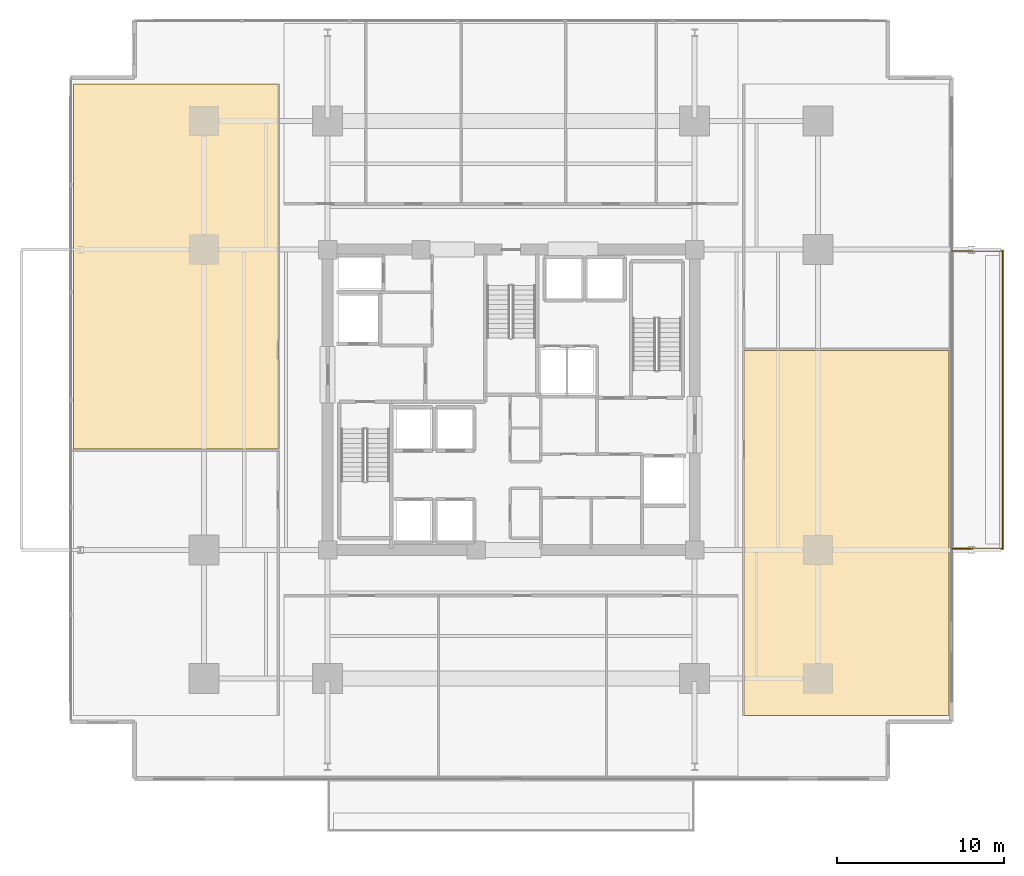
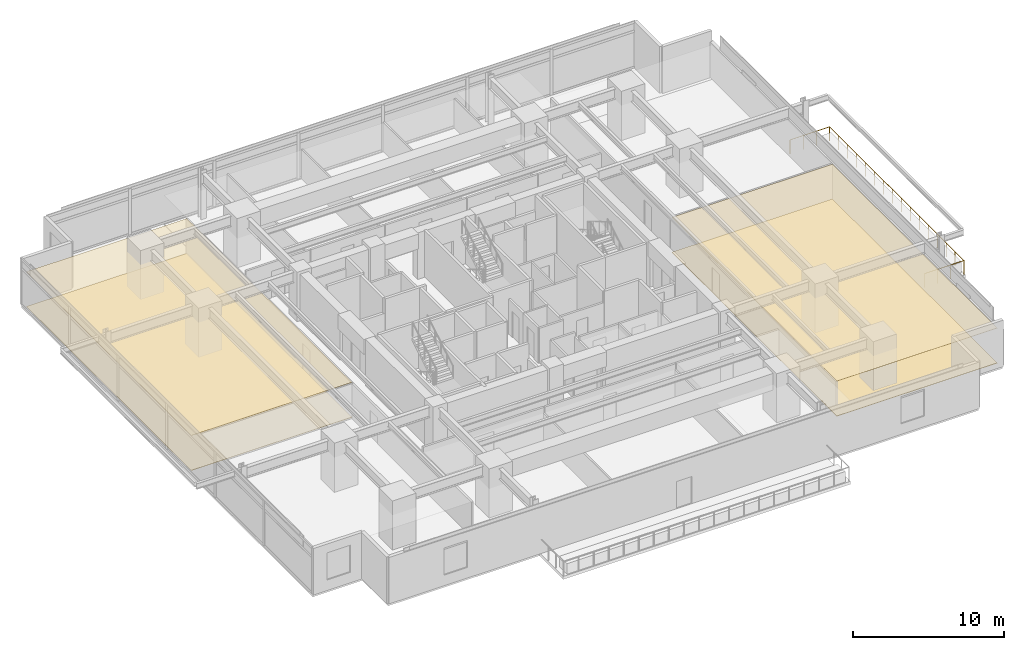
# One storey, part 22 of 24: 4 coverings, 1 railing.
"""IFC4 building model written with IfcOpenShell, lengths in metres."""

from ifc_helpers import new_model, si_unit, direction, frame, origin, origin_2d, place, context, subcontext, project, spatial, polyline, circle, outline, extrude, material, layer, layer_set, type_object, element, save


model = new_model("IFC4")

# Units and contexts
model_context = context("Model", 3, precision=1e-05, world=origin(), true_north=direction((0.0, 1.0)))
body_context = subcontext(model_context, "Body", "Model", "MODEL_VIEW")
ifc_project = project(units=[si_unit("LENGTHUNIT", "METRE"), si_unit("AREAUNIT", "SQUARE_METRE"), si_unit("VOLUMEUNIT", "CUBIC_METRE"), si_unit("PLANEANGLEUNIT", "RADIAN"), si_unit("MASSUNIT", "GRAM", prefix="KILO")], contexts=[model_context])

# Site, building, storey
site_placement = place(None, origin())
site = spatial("IfcSite", under=ifc_project, at=site_placement, CompositionType="ELEMENT")
building_placement = place(site_placement, origin())
building = spatial("IfcBuilding", under=site, at=building_placement, Name="Kovane Verandah Tower", CompositionType="ELEMENT")
storey_placement = place(building_placement, frame((0.0, 0.0, 95.60009765625)))
storey = spatial("IfcBuildingStorey", under=building, at=storey_placement, Name="L22", CompositionType="ELEMENT", Elevation=95.60009765625)

# Coverings
ifc_material_1 = material(Name="Perforated Acoustic Mineral-Fibre Ceiling Tile", Category="gypsum")
ifc_layer_1 = layer(ifc_material_1, 0.02490234375)
ifc_layer_set_1 = layer_set([ifc_layer_1], Name="Perforated Acoustic Mineral-Fibre Ceiling Tile")
covering_type_1 = type_object("IfcCoveringType", Name="CV-CEIL-25", PredefinedType="CEILING", material=ifc_layer_set_1)
covering_1_placement = place(storey_placement, frame((0.0, 0.0, 2.824951171875)))
element("IfcCovering", 1, at=covering_1_placement, inside=storey, type_object=covering_type_1, Name="L22 Collaboration Hub W2 Acoustic Ceiling", PredefinedType="CEILING", context=body_context, shape_type="SweptSolid", body=[
    extrude(outline(polyline([(13.762939453125, 24.544189453125), (26.050048828125, 24.544189453125), (26.050048828125, 46.410888671875), (13.762939453125, 46.410888671875), (13.762939453125, 24.544189453125)])), origin(), (0.0, 0.0, 1.0), 0.02490234375),
])
covering_2_placement = place(storey_placement, frame((0.0, 0.0, 2.824951171875)))
element("IfcCovering", 2, at=covering_2_placement, inside=storey, type_object=covering_type_1, Name="L22 Document and Print Room E1 Acoustic Ceiling", PredefinedType="CEILING", context=body_context, shape_type="SweptSolid", body=[
    extrude(outline(polyline([(53.949951171875, 8.589111328125), (66.237060546875, 8.589111328125), (66.237060546875, 30.455810546875), (53.949951171875, 30.455810546875), (53.949951171875, 8.589111328125)])), origin(), (0.0, 0.0, 1.0), 0.02490234375),
])
ifc_material_2 = material(Name="Polished Terrazzo and Raised-Access Carpet Tile Finish", Category="concrete")
ifc_layer_2 = layer(ifc_material_2, 0.030029296875)
ifc_layer_set_2 = layer_set([ifc_layer_2], Name="Polished Terrazzo and Raised-Access Carpet Tile Finish")
covering_type_2 = type_object("IfcCoveringType", Name="CV-FLOR-30", PredefinedType="FLOORING", material=ifc_layer_set_2)
covering_3_placement = place(storey_placement, origin())
element("IfcCovering", 3, at=covering_3_placement, inside=storey, type_object=covering_type_2, Name="L22 Collaboration Hub W2 Floor Finish", PredefinedType="FLOORING", context=body_context, shape_type="SweptSolid", body=[
    extrude(outline(polyline([(13.762939453125, 24.544189453125), (26.050048828125, 24.544189453125), (26.050048828125, 46.410888671875), (13.762939453125, 46.410888671875), (13.762939453125, 24.544189453125)])), origin(), (0.0, 0.0, 1.0), 0.02978515625),
])
covering_4_placement = place(storey_placement, origin())
element("IfcCovering", 4, at=covering_4_placement, inside=storey, type_object=covering_type_2, Name="L22 Document and Print Room E1 Floor Finish", PredefinedType="FLOORING", context=body_context, shape_type="SweptSolid", body=[
    extrude(outline(polyline([(53.949951171875, 8.589111328125), (66.237060546875, 8.589111328125), (66.237060546875, 30.455810546875), (53.949951171875, 30.455810546875), (53.949951171875, 8.589111328125)])), origin(), (0.0, 0.0, 1.0), 0.02978515625),
])

# Railing
ifc_material_3 = material(Name="Laminated Glass and Pale-Champagne Stainless Balustrade", Category="glass")
railing_type = type_object("IfcRailingType", Name="RL-BAL-1150", PredefinedType="BALUSTRADE", material=ifc_material_3)
railing_placement = place(storey_placement, frame((66.43701171875, 18.580078125, 0.0)))
element("IfcRailing", 5, at=railing_placement, inside=storey, type_object=railing_type, Name="L22 E Verandah Glass Balustrade", PredefinedType="BALUSTRADE", context=body_context, shape_type="SweptSolid", body=[
    extrude(circle(Radius=0.02392578125, at=origin_2d()), frame((0.0, 0.0, 1.1259765625), z_axis=(1.0, 0.0, 0.0), x_axis=(0.0, 1.0, 0.0)), (0.0, 0.0, 1.0), 3.02001953125),
    extrude(circle(Radius=0.02392578125, at=origin_2d()), frame((3.02001953125, 0.0, 1.1259765625), z_axis=(0.0, 1.0, 0.0), x_axis=(-1.0, 0.0, 0.0)), (0.0, 0.0, 1.0), 17.83984375),
    extrude(circle(Radius=0.02392578125, at=origin_2d()), frame((3.02001953125, 17.83984375, 1.1259765625), z_axis=(-1.0, 0.0, 0.0), x_axis=(0.0, -1.0, 0.0)), (0.0, 0.0, 1.0), 3.02001953125),
    extrude(circle(Radius=0.02099609375, at=origin_2d()), origin(), (0.0, 0.0, 1.0), 1.101806640625),
    extrude(circle(Radius=0.02099609375, at=origin_2d()), frame((1.006591796875, 0.0, 0.0)), (0.0, 0.0, 1.0), 1.101806640625),
    extrude(circle(Radius=0.02099609375, at=origin_2d()), frame((2.013427734375, 0.0, 0.0)), (0.0, 0.0, 1.0), 1.101806640625),
    extrude(circle(Radius=0.02099609375, at=origin_2d()), frame((3.02001953125, 0.0, 0.0)), (0.0, 0.0, 1.0), 1.101806640625),
    extrude(circle(Radius=0.02099609375, at=origin_2d()), frame((3.02001953125, 1.189208984375, 0.0)), (0.0, 0.0, 1.0), 1.101806640625),
    extrude(circle(Radius=0.02099609375, at=origin_2d()), frame((3.02001953125, 2.378662109375, 0.0)), (0.0, 0.0, 1.0), 1.101806640625),
    extrude(circle(Radius=0.02099609375, at=origin_2d()), frame((3.02001953125, 3.56787109375, 0.0)), (0.0, 0.0, 1.0), 1.101806640625),
    extrude(circle(Radius=0.02099609375, at=origin_2d()), frame((3.02001953125, 4.75732421875, 0.0)), (0.0, 0.0, 1.0), 1.101806640625),
    extrude(circle(Radius=0.02099609375, at=origin_2d()), frame((3.02001953125, 5.946533203125, 0.0)), (0.0, 0.0, 1.0), 1.101806640625),
    extrude(circle(Radius=0.02099609375, at=origin_2d()), frame((3.02001953125, 7.135986328125, 0.0)), (0.0, 0.0, 1.0), 1.101806640625),
    extrude(circle(Radius=0.02099609375, at=origin_2d()), frame((3.02001953125, 8.3251953125, 0.0)), (0.0, 0.0, 1.0), 1.101806640625),
    extrude(circle(Radius=0.02099609375, at=origin_2d()), frame((3.02001953125, 9.5146484375, 0.0)), (0.0, 0.0, 1.0), 1.101806640625),
    extrude(circle(Radius=0.02099609375, at=origin_2d()), frame((3.02001953125, 10.703857421875, 0.0)), (0.0, 0.0, 1.0), 1.101806640625),
    extrude(circle(Radius=0.02099609375, at=origin_2d()), frame((3.02001953125, 11.893310546875, 0.0)), (0.0, 0.0, 1.0), 1.101806640625),
    extrude(circle(Radius=0.02099609375, at=origin_2d()), frame((3.02001953125, 13.08251953125, 0.0)), (0.0, 0.0, 1.0), 1.101806640625),
    extrude(circle(Radius=0.02099609375, at=origin_2d()), frame((3.02001953125, 14.27197265625, 0.0)), (0.0, 0.0, 1.0), 1.101806640625),
    extrude(circle(Radius=0.02099609375, at=origin_2d()), frame((3.02001953125, 15.461181640625, 0.0)), (0.0, 0.0, 1.0), 1.101806640625),
    extrude(circle(Radius=0.02099609375, at=origin_2d()), frame((3.02001953125, 16.650634765625, 0.0)), (0.0, 0.0, 1.0), 1.101806640625),
    extrude(circle(Radius=0.02099609375, at=origin_2d()), frame((3.02001953125, 17.83984375, 0.0)), (0.0, 0.0, 1.0), 1.101806640625),
    extrude(circle(Radius=0.02099609375, at=origin_2d()), frame((2.013427734375, 17.83984375, 0.0)), (0.0, 0.0, 1.0), 1.101806640625),
    extrude(circle(Radius=0.02099609375, at=origin_2d()), frame((1.006591796875, 17.83984375, 0.0)), (0.0, 0.0, 1.0), 1.101806640625),
    extrude(circle(Radius=0.02099609375, at=origin_2d()), frame((0.0, 17.83984375, 0.0)), (0.0, 0.0, 1.0), 1.101806640625),
])

save(model, "model.ifc")
